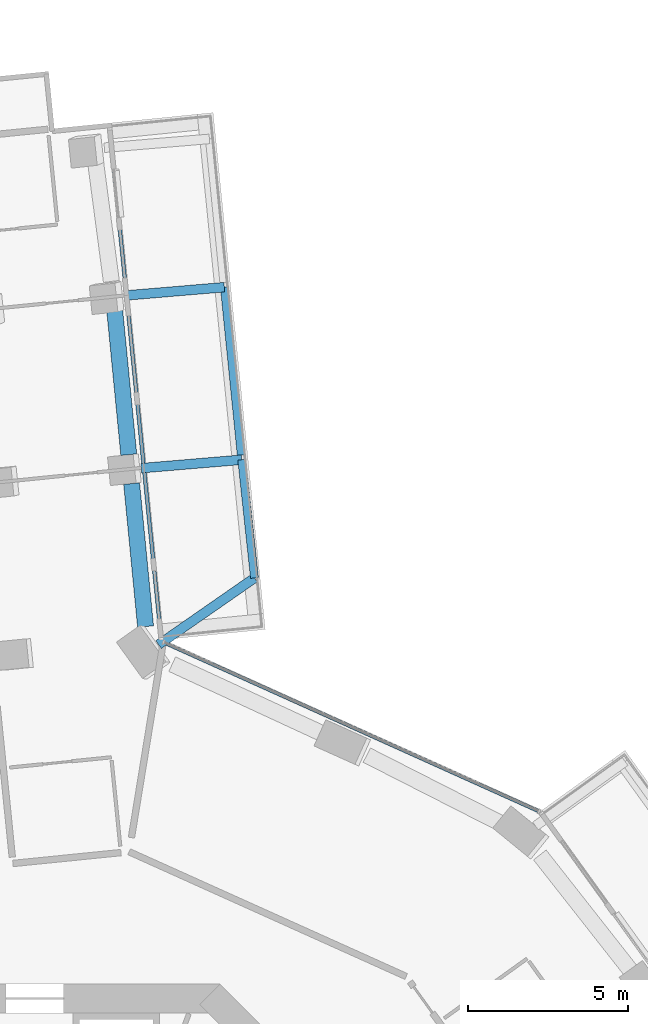
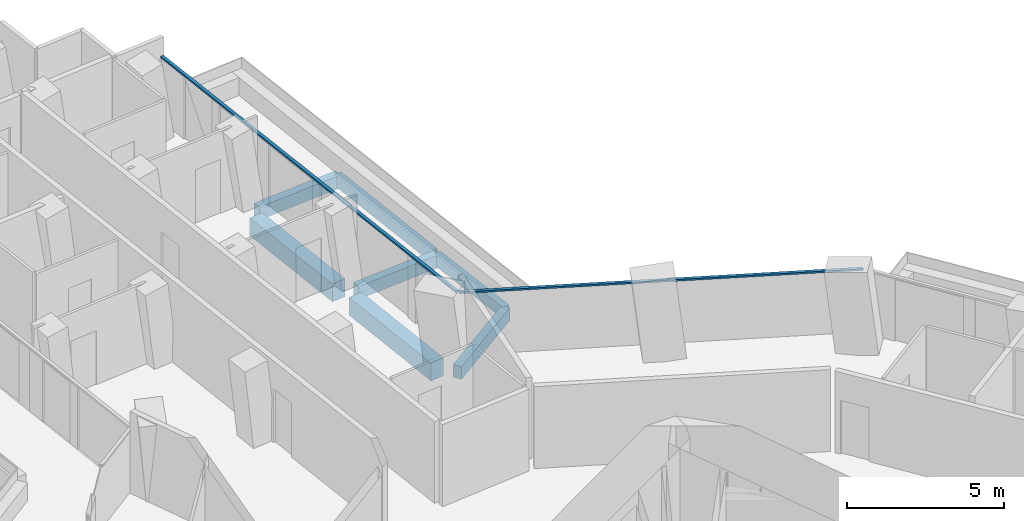
# One storey, part 10 of 26: 7 beams, 2 members, 2 elements without a shape of their own.
"""IFC4 building model written with IfcOpenShell, lengths in metres."""

from ifc_helpers import new_model, si_unit, direction, frame, origin, origin_2d, place, context, subcontext, project, spatial, rectangle, extrude, material, layer, layer_set, material_profile, profile_set, type_object, element, aggregate, save


model = new_model("IFC4")

# Units and contexts
model_context = context("Model", 3, precision=1e-05, world=origin(), true_north=direction((0.0, 1.0)))
body_context = subcontext(model_context, "Body", "Model", "MODEL_VIEW")
ifc_project = project(units=[si_unit("LENGTHUNIT", "METRE"), si_unit("AREAUNIT", "SQUARE_METRE"), si_unit("VOLUMEUNIT", "CUBIC_METRE"), si_unit("PLANEANGLEUNIT", "RADIAN"), si_unit("MASSUNIT", "GRAM", prefix="KILO")], contexts=[model_context])

# Site, building, storey
site_placement = place(None, origin())
site = spatial("IfcSite", under=ifc_project, at=site_placement, CompositionType="ELEMENT")
building_placement = place(site_placement, origin())
building = spatial("IfcBuilding", under=site, at=building_placement, Name="Verdalira Terraces Hotel", CompositionType="ELEMENT")
storey_placement = place(building_placement, frame((0.0, 0.0, 56.5)))
storey = spatial("IfcBuildingStorey", under=building, at=storey_placement, Name="L12", CompositionType="ELEMENT", Elevation=56.5)

# Beams
ifc_material_1 = material(Name="Concrete C40", Category="concrete")
ifc_material_profile_1 = material_profile(ifc_material_1, rectangle(XDim=0.300049, YDim=0.5, at=origin_2d()), Name="RC 300X500")
ifc_profile_set_1 = profile_set([ifc_material_profile_1], Name="Concrete C40")
beam_type_1 = type_object("IfcBeamType", Name="Balcony cantilever beam RC 300X500 C40", PredefinedType="BEAM", material=ifc_profile_set_1)
beam_1_placement = place(storey_placement, frame((3.875977, 24.634766, -0.560059), z_axis=(0.821169164, 0.570684856, 0.0), x_axis=(-0.570684856, 0.821169164, 0.0)))
element("IfcBeam", 1, at=beam_1_placement, inside=storey, type_object=beam_type_1, Name="Balcony cantilever beam R00-1", PredefinedType="BEAM", context=body_context, shape_type="SweptSolid", body=[
    extrude(rectangle(XDim=0.300049, YDim=0.5, at=origin_2d()), origin(), (0.0, 0.0, 1.0), 3.656006),
])
beam_2_placement = place(storey_placement, frame((3.333984, 30.160645, -0.560059), z_axis=(0.996491671, 0.083691996, 0.0), x_axis=(-0.083691996, 0.996491671, 0.0)))
element("IfcBeam", 2, at=beam_2_placement, inside=storey, type_object=beam_type_1, Name="Balcony cantilever beam R00-2", PredefinedType="BEAM", context=body_context, shape_type="SweptSolid", body=[
    extrude(rectangle(XDim=0.300049, YDim=0.5, at=origin_2d()), origin(), (0.0, 0.0, 1.0), 3.15625),
])
beam_3_placement = place(storey_placement, frame((2.796875, 35.56543, -0.560059), z_axis=(0.996493148, 0.083674405, 0.0), x_axis=(-0.083674405, 0.996493148, 0.0)))
element("IfcBeam", 3, at=beam_3_placement, inside=storey, type_object=beam_type_1, Name="Balcony cantilever beam R00-3", PredefinedType="BEAM", context=body_context, shape_type="SweptSolid", body=[
    extrude(rectangle(XDim=0.300049, YDim=0.5, at=origin_2d()), origin(), (0.0, 0.0, 1.0), 3.148193),
])
ifc_material_2 = material(Name="Concrete C40", Category="concrete")
ifc_material_profile_2 = material_profile(ifc_material_2, rectangle(XDim=0.25, YDim=0.449951, at=origin_2d()), Name="RC 250X450")
ifc_profile_set_2 = profile_set([ifc_material_profile_2], Name="Concrete C40")
beam_type_2 = type_object("IfcBeamType", Name="Balcony edge beam RC 250X450 C40", PredefinedType="BEAM", material=ifc_profile_set_2)
beam_4_placement = place(storey_placement, frame((6.878174, 26.721191, -0.534912), z_axis=(-0.107093135, 0.994248993, 0.0), x_axis=(-0.994248993, -0.107093135, 0.0)))
element("IfcBeam", 4, at=beam_4_placement, inside=storey, type_object=beam_type_2, Name="Balcony edge beam R00-1", PredefinedType="BEAM", context=body_context, shape_type="SweptSolid", body=[
    extrude(rectangle(XDim=0.25, YDim=0.449951, at=origin_2d()), origin(), (0.0, 0.0, 1.0), 3.725098),
])
beam_5_placement = place(storey_placement, frame((6.464111, 30.574219, -0.534912), z_axis=(-0.100359575, 0.994951233, 0.0), x_axis=(-0.994951233, -0.100359575, 0.0)))
element("IfcBeam", 5, at=beam_5_placement, inside=storey, type_object=beam_type_2, Name="Balcony edge beam R00-2", PredefinedType="BEAM", context=body_context, shape_type="SweptSolid", body=[
    extrude(rectangle(XDim=0.25, YDim=0.449951, at=origin_2d()), origin(), (0.0, 0.0, 1.0), 5.28125),
])

# Curtain wall, member
ifc_material_3 = material(Name="Clear glass", Category="glass")
ifc_layer_1 = layer(ifc_material_3, 0.14990234375)
ifc_layer_set_1 = layer_set([ifc_layer_1], Name="CW1 curtain wall")
curtain_wall_type_1 = type_object("IfcCurtainWallType", Name="CW1 curtain wall", PredefinedType="NOTDEFINED", material=ifc_layer_set_1)
curtain_wall_1_placement = place(storey_placement, origin())
curtain_wall_1 = element("IfcCurtainWall", 6, at=curtain_wall_1_placement, inside=storey, type_object=curtain_wall_type_1, Name="CW1 curtain wall L12 edge 41", PredefinedType="NOTDEFINED")
ifc_material_4 = material(Name="Terracotta frame", Category="masonry")
ifc_material_profile_3 = material_profile(ifc_material_4, rectangle(XDim=0.110107, YDim=0.064941, at=origin_2d()), Name="TR 65x110")
ifc_profile_set_3 = profile_set([ifc_material_profile_3], Name="Terracotta frame")
member_type_1 = type_object("IfcMemberType", Name="CW1 transom 65x110", PredefinedType="USERDEFINED", material=ifc_profile_set_3)
member_1_placement = place(storey_placement, frame((15.819092, 19.398926, 2.45752), z_axis=(-0.91183548, 0.41055579, 0.0), x_axis=(-0.41055579, -0.91183548, 0.0)))
member_1 = element("IfcMember", 7, at=member_1_placement, type_object=member_type_1, Name="CW1 transom", ObjectType="TRANSOM", PredefinedType="USERDEFINED", context=body_context, shape_type="SweptSolid", body=[
    extrude(rectangle(XDim=0.110107, YDim=0.064941, at=origin_2d()), origin(), (0.0, 0.0, 1.0), 12.959961),
])
aggregate(curtain_wall_1, [member_1])

ifc_material_5 = material(Name="Clear glass", Category="glass")
ifc_layer_2 = layer(ifc_material_5, 0.14990234375)
ifc_layer_set_2 = layer_set([ifc_layer_2], Name="CW2 curtain wall")
curtain_wall_type_2 = type_object("IfcCurtainWallType", Name="CW2 curtain wall", PredefinedType="NOTDEFINED", material=ifc_layer_set_2)
curtain_wall_2_placement = place(storey_placement, origin())
curtain_wall_2 = element("IfcCurtainWall", 8, at=curtain_wall_2_placement, inside=storey, type_object=curtain_wall_type_2, Name="CW2 curtain wall L12 edge 0", PredefinedType="NOTDEFINED")
ifc_material_6 = material(Name="Terracotta frame", Category="masonry")
ifc_material_profile_4 = material_profile(ifc_material_6, rectangle(XDim=0.11499, YDim=0.064941, at=origin_2d()), Name="TR 65x115")
ifc_profile_set_4 = profile_set([ifc_material_profile_4], Name="Terracotta frame")
member_type_2 = type_object("IfcMemberType", Name="CW2 transom 65x115", PredefinedType="USERDEFINED", material=ifc_profile_set_4)
member_2_placement = place(storey_placement, frame((3.958008, 24.780762, 2.45752), z_axis=(-0.100362872, 0.9949509, 0.0), x_axis=(-0.9949509, -0.100362872, 0.0)))
member_2 = element("IfcMember", 9, at=member_2_placement, type_object=member_type_2, Name="CW2 transom", ObjectType="TRANSOM", PredefinedType="USERDEFINED", context=body_context, shape_type="SweptSolid", body=[
    extrude(rectangle(XDim=0.11499, YDim=0.064941, at=origin_2d()), origin(), (0.0, 0.0, 1.0), 16.120605),
])
aggregate(curtain_wall_2, [member_2])

# Beams
ifc_material_7 = material(Name="Concrete C70", Category="concrete")
ifc_material_profile_5 = material_profile(ifc_material_7, rectangle(XDim=0.5, YDim=0.699951, at=origin_2d()), Name="RC 500X700")
ifc_profile_set_5 = profile_set([ifc_material_profile_5], Name="Concrete C70")
beam_type_3 = type_object("IfcBeamType", Name="Spandrel beam RC 500X700 C70", PredefinedType="SPANDREL", material=ifc_profile_set_5)
beam_6_placement = place(storey_placement, frame((3.466553, 25.198486, -0.659912), z_axis=(-0.097161567, 0.995268622, 0.0), x_axis=(-0.995268622, -0.097161567, 0.0)))
element("IfcBeam", 10, at=beam_6_placement, inside=storey, type_object=beam_type_3, Name="Spandrel beam B01", PredefinedType="SPANDREL", context=body_context, shape_type="SweptSolid", body=[
    extrude(rectangle(XDim=0.5, YDim=0.699951, at=origin_2d()), origin(), (0.0, 0.0, 1.0), 4.500244),
])
beam_7_placement = place(storey_placement, frame((2.940674, 30.583984, -0.659912), z_axis=(-0.097187219, 0.995266117, 0.0), x_axis=(-0.995266117, -0.097187219, 0.0)))
element("IfcBeam", 11, at=beam_7_placement, inside=storey, type_object=beam_type_3, Name="Spandrel beam B02", PredefinedType="SPANDREL", context=body_context, shape_type="SweptSolid", body=[
    extrude(rectangle(XDim=0.5, YDim=0.699951, at=origin_2d()), origin(), (0.0, 0.0, 1.0), 4.529297),
])

save(model, "model.ifc")
